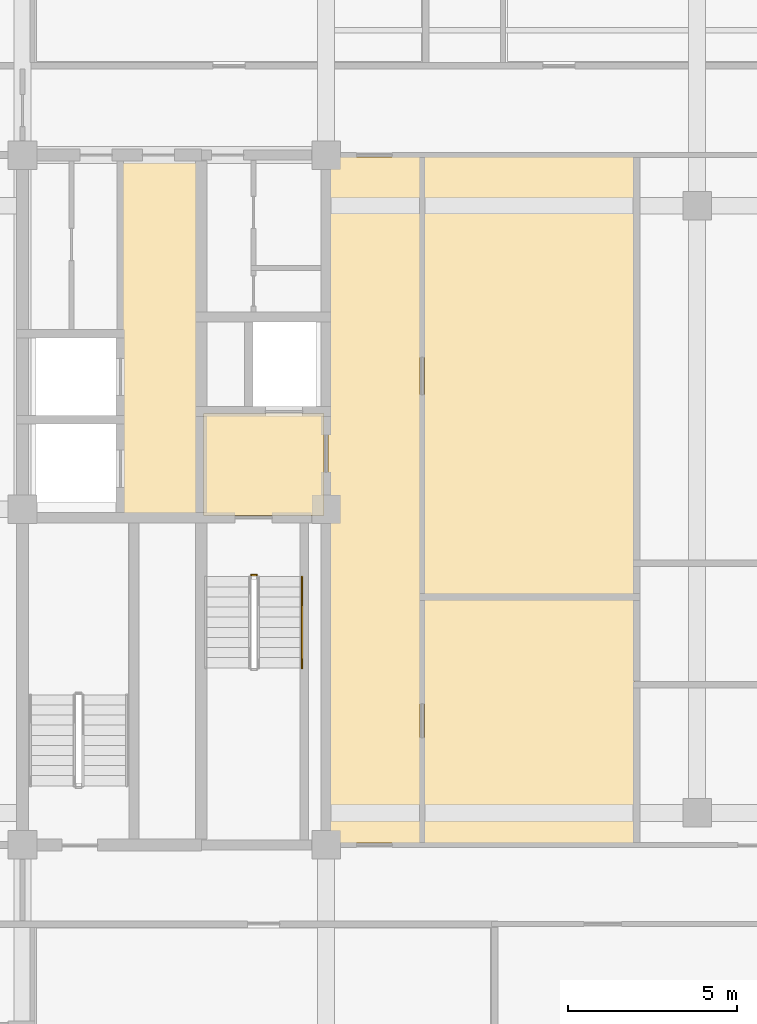
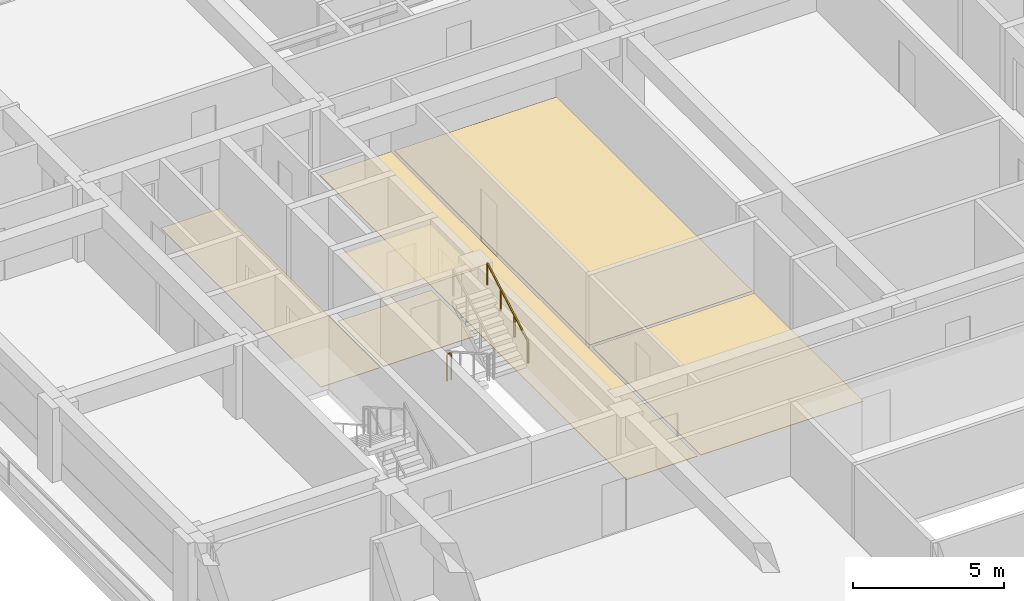
# One storey, part 10 of 13: 6 coverings, 2 railings.
"""IFC4 building model written with IfcOpenShell, lengths in metres."""

from ifc_helpers import new_model, si_unit, direction, frame, origin, origin_2d, place, context, subcontext, project, spatial, polyline, rectangle, outline, extrude, material, layer, layer_set, type_object, element, save


model = new_model("IFC4")

# Units and contexts
model_context = context("Model", 3, precision=1e-05, world=origin(), true_north=direction((0.0, 1.0)))
body_context = subcontext(model_context, "Body", "Model", "MODEL_VIEW")
ifc_project = project(units=[si_unit("LENGTHUNIT", "METRE"), si_unit("AREAUNIT", "SQUARE_METRE"), si_unit("VOLUMEUNIT", "CUBIC_METRE"), si_unit("PLANEANGLEUNIT", "RADIAN"), si_unit("MASSUNIT", "GRAM", prefix="KILO")], contexts=[model_context])

# Site, building, storey
site_placement = place(None, origin())
site = spatial("IfcSite", under=ifc_project, at=site_placement, CompositionType="ELEMENT")
building_placement = place(site_placement, origin())
building = spatial("IfcBuilding", under=site, at=building_placement, Name="Zulmaris Gate Convention Tower", CompositionType="ELEMENT")
storey_placement = place(building_placement, frame((0.0, 0.0, 218.659912109375)))
storey = spatial("IfcBuildingStorey", under=building, at=storey_placement, Name="L57", CompositionType="ELEMENT", Elevation=218.659912109375)

# Coverings
ifc_material_1 = material(Name="Mineral Fibre Acoustic Ceiling Tile")
ifc_layer_1 = layer(ifc_material_1, 0.02001953125, Name="Mineral Fibre Acoustic Ceiling Tile")
ifc_layer_set_1 = layer_set([ifc_layer_1], Name="Mineral Fibre Acoustic Ceiling Tile")
covering_type_1 = type_object("IfcCoveringType", Name="CLG-ACOUSTIC-600", PredefinedType="CEILING", material=ifc_layer_set_1)
covering_1_placement = place(storey_placement, frame((0.0, 0.0, 2.695068359375)))
element("IfcCovering", 1, at=covering_1_placement, inside=storey, type_object=covering_type_1, Name="CLG-L57-R03", PredefinedType="CEILING", context=body_context, shape_type="SweptSolid", body=[
    extrude(outline(polyline([(-14.639892578125, -0.18994140625), (-11.06005859375, -0.18994140625), (-11.06005859375, 2.840087890625), (-14.639892578125, 2.840087890625), (-14.639892578125, -0.18994140625)])), origin(), (0.0, 0.0, 1.0), 0.02001953125),
])
ifc_material_2 = material(Name="Woven Acoustic Wool Carpet Tile")
ifc_layer_2 = layer(ifc_material_2, 0.02001953125, Name="Woven Acoustic Wool Carpet Tile")
ifc_layer_set_2 = layer_set([ifc_layer_2], Name="Woven Acoustic Wool Carpet Tile")
covering_type_2 = type_object("IfcCoveringType", Name="FLR-CARPET-12", PredefinedType="FLOORING", material=ifc_layer_set_2)
covering_2_placement = place(storey_placement, origin())
element("IfcCovering", 2, at=covering_2_placement, inside=storey, type_object=covering_type_2, Name="FLR-L57-R03", PredefinedType="FLOORING", context=body_context, shape_type="SweptSolid", body=[
    extrude(outline(polyline([(-14.639892578125, -0.18994140625), (-11.06005859375, -0.18994140625), (-11.06005859375, 2.840087890625), (-14.639892578125, 2.840087890625), (-14.639892578125, -0.18994140625)])), origin(), (0.0, 0.0, 1.0), 0.02001953125),
])
covering_3_placement = place(storey_placement, origin())
element("IfcCovering", 3, at=covering_3_placement, inside=storey, type_object=covering_type_2, Name="FLR-L57-R21", PredefinedType="FLOORING", context=body_context, shape_type="SweptSolid", body=[
    extrude(outline(polyline([(-17.0400390625, -0.18994140625), (-14.760009765625, -0.18994140625), (-14.760009765625, 10.43994140625), (-17.0400390625, 10.43994140625), (-17.0400390625, -0.18994140625)])), origin(), (0.0, 0.0, 1.0), 0.02001953125),
])
covering_4_placement = place(storey_placement, origin())
element("IfcCovering", 4, at=covering_4_placement, inside=storey, type_object=covering_type_2, Name="FLR-L57-R34", PredefinedType="FLOORING", context=body_context, shape_type="SweptSolid", body=[
    extrude(outline(polyline([(-10.93994140625, -9.889892578125), (-8.2099609375, -9.889892578125), (-8.2099609375, 10.43994140625), (-10.93994140625, 10.43994140625), (-10.93994140625, -9.889892578125)])), origin(), (0.0, 0.0, 1.0), 0.02001953125),
])
covering_5_placement = place(storey_placement, origin())
element("IfcCovering", 5, at=covering_5_placement, inside=storey, type_object=covering_type_2, Name="FLR-L57-R49", PredefinedType="FLOORING", context=body_context, shape_type="SweptSolid", body=[
    extrude(outline(polyline([(-8.090087890625, -9.889892578125), (-1.860107421875, -9.889892578125), (-1.860107421875, -2.659912109375), (-8.090087890625, -2.659912109375), (-8.090087890625, -9.889892578125)])), origin(), (0.0, 0.0, 1.0), 0.02001953125),
])
ifc_material_3 = material(Name="Engineered Teak Parquet Flooring")
ifc_layer_3 = layer(ifc_material_3, 0.02001953125, Name="Engineered Teak Parquet Flooring")
ifc_layer_set_3 = layer_set([ifc_layer_3], Name="Engineered Teak Parquet Flooring")
covering_type_3 = type_object("IfcCoveringType", Name="FLR-TIMBER-18", PredefinedType="FLOORING", material=ifc_layer_set_3)
covering_6_placement = place(storey_placement, origin())
element("IfcCovering", 6, at=covering_6_placement, inside=storey, type_object=covering_type_3, Name="FLR-L57-R48", PredefinedType="FLOORING", context=body_context, shape_type="SweptSolid", body=[
    extrude(outline(polyline([(-8.090087890625, -2.5400390625), (-1.860107421875, -2.5400390625), (-1.860107421875, 10.43994140625), (-8.090087890625, 10.43994140625), (-8.090087890625, -2.5400390625)])), origin(), (0.0, 0.0, 1.0), 0.02001953125),
])

# Railings
ifc_material_4 = material(Name="Painted Galvanised Steel", Category="steel")
railing_type_1 = type_object("IfcRailingType", Name="RL-STG-1150", PredefinedType="GUARDRAIL", material=ifc_material_4)
railing_1_placement = place(storey_placement, frame((-13.219970703125, -1.949951171875, 0.0)))
element("IfcRailing", 7, at=railing_1_placement, inside=storey, type_object=railing_type_1, Name="L57 ST-1 stair guard 4", PredefinedType="GUARDRAIL", context=body_context, shape_type="SweptSolid", body=[
    extrude(rectangle(XDim=0.048095703125, YDim=0.048095703125, at=origin_2d()), frame((0.0, 0.0, 1.076171875), z_axis=(1.0, 0.0, 0.0), x_axis=(0.0, 1.0, 0.0)), (0.0, 0.0, 1.0), 0.159912109375),
    extrude(rectangle(XDim=0.0419921875, YDim=0.0419921875, at=origin_2d()), origin(), (0.0, 0.0, 1.0), 1.052001953125),
    extrude(rectangle(XDim=0.0419921875, YDim=0.0419921875, at=origin_2d()), frame((0.159912109375, 0.0, 0.0)), (0.0, 0.0, 1.0), 1.052001953125),
])
ifc_material_5 = material(Name="Brushed Stainless Steel", Category="steel")
railing_type_2 = type_object("IfcRailingType", Name="RL-STH-900", PredefinedType="HANDRAIL", material=ifc_material_5)
railing_2_placement = place(storey_placement, frame((-11.7099609375, -4.699951171875, 1.8701171875)))
element("IfcRailing", 8, at=railing_2_placement, inside=storey, type_object=railing_type_2, Name="L57 ST-1 stair handrail 2", PredefinedType="HANDRAIL", context=body_context, shape_type="SweptSolid", body=[
    extrude(rectangle(XDim=0.048095703125, YDim=0.048095703125, at=origin_2d()), frame((0.0, 0.0, 0.8759765625), z_axis=(0.0, 0.870014312096, 0.49302646658), x_axis=(-1.0, 0.0, 0.0)), (0.0, 0.0, 1.0), 3.103271484375),
    extrude(rectangle(XDim=0.0419921875, YDim=0.0419921875, at=origin_2d()), origin(), (0.0, 0.0, 1.0), 0.851806640625),
    extrude(rectangle(XDim=0.0419921875, YDim=0.0419921875, at=origin_2d()), frame((0.0, 0.89990234375, 0.510009765625)), (0.0, 0.0, 1.0), 0.851806640625),
    extrude(rectangle(XDim=0.0419921875, YDim=0.0419921875, at=origin_2d()), frame((0.0, 1.800048828125, 1.02001953125)), (0.0, 0.0, 1.0), 0.851806640625),
    extrude(rectangle(XDim=0.0419921875, YDim=0.0419921875, at=origin_2d()), frame((0.0, 2.699951171875, 1.530029296875)), (0.0, 0.0, 1.0), 0.851806640625),
])

save(model, "model.ifc")
